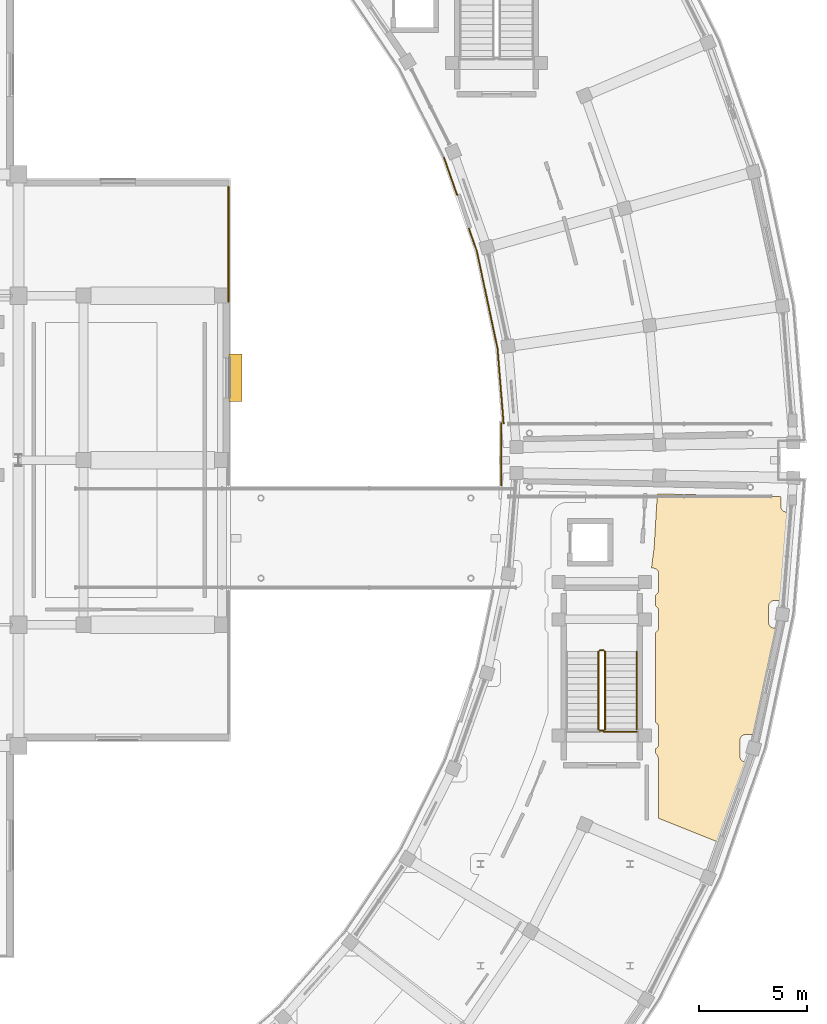
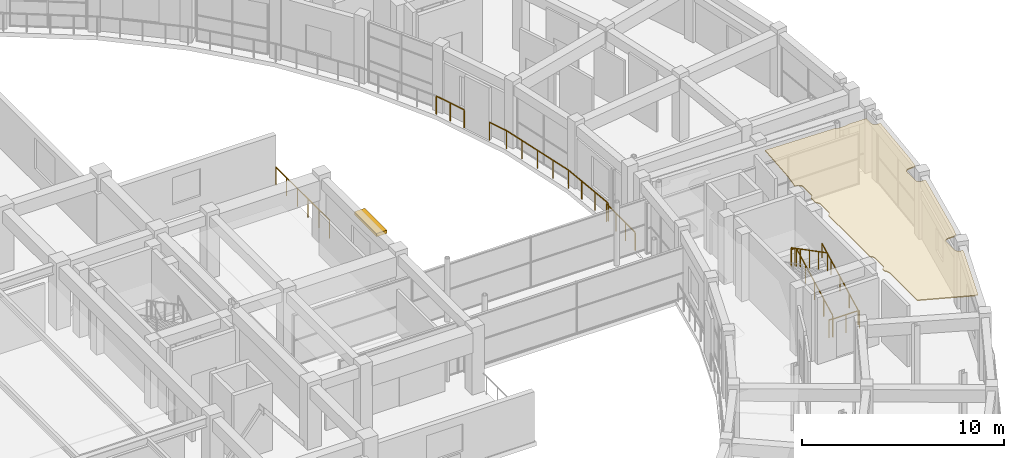
# One storey, part 64 of 70: 12 railings, 1 covering, 1 shading device.
"""IFC4 building model written with IfcOpenShell, lengths in metres."""

import ifcopenshell
import ifcopenshell.guid

model = None  # the IFC model being written
_history = None  # IfcOwnerHistory: only IFC2X3 demands one
_inside = {}  # id of a spatial element -> (the spatial element, [elements in it])
_under = {}  # id of a project, library or spatial element -> (it, [spatial elements below it])
_declared = {}  # id of a project -> (the project, [libraries it declares])
_typed = {}  # id of a type object -> (the type object, [elements of that type])
_made_of = {}  # id of a material, layer set ... -> (it, [elements and type objects made of it])


def new_model(schema):
    """Start an empty IFC model of exactly this schema.

    Asked for "IFC4X3", IfcOpenShell would pick the latest addendum, in which some entities
    have other attributes; the version numbers below select the first issue.
    IFC2X3 requires an IfcOwnerHistory on every rooted entity: one is made here for all.
    """
    global model, _history
    if schema == "IFC4X3":
        model = ifcopenshell.file(schema_version=(4, 3, 0, 0))
    else:
        model = ifcopenshell.file(schema=schema)
    _inside.clear()
    _under.clear()
    _declared.clear()
    _typed.clear()
    _made_of.clear()
    _history = None
    if model.schema == "IFC2X3":
        org = make("IfcOrganization", Name="unknown")
        user = make(
            "IfcPersonAndOrganization",
            ThePerson=make("IfcPerson", FamilyName="unknown"),
            TheOrganization=org,
        )
        app = make(
            "IfcApplication",
            ApplicationDeveloper=org,
            Version="unknown",
            ApplicationFullName="unknown",
            ApplicationIdentifier="unknown",
        )
        _history = make(
            "IfcOwnerHistory",
            OwningUser=user,
            OwningApplication=app,
            ChangeAction="ADDED",
            CreationDate=0,
        )
    return model


def make(cls, **values):
    """One entity of the class cls with the attributes given. An attribute that is None is left unset."""
    return model.create_entity(
        cls, **{name: value for name, value in values.items() if value is not None}
    )


def rooted(cls, **values):
    """An entity with a GlobalId (a new one), such as an element, a storey or a relation."""
    return make(cls, GlobalId=ifcopenshell.guid.new(), OwnerHistory=_history, **values)


def si_unit(unit_type, name, prefix=None):
    """IfcSIUnit, for example si_unit("LENGTHUNIT", "METRE", prefix="MILLI")."""
    return make("IfcSIUnit", UnitType=unit_type, Prefix=prefix, Name=name)


def assignment(units):
    """IfcUnitAssignment: the units of a project."""
    return None if units is None else make("IfcUnitAssignment", Units=units)


def point(xyz):
    """IfcCartesianPoint."""
    return None if xyz is None else make("IfcCartesianPoint", Coordinates=xyz)


def direction(xyz):
    """IfcDirection."""
    return None if xyz is None else make("IfcDirection", DirectionRatios=xyz)


def frame(location, z_axis=None, x_axis=None):
    """IfcAxis2Placement3D, a coordinate frame: its origin and axes. An axis left out is left unset."""
    return make(
        "IfcAxis2Placement3D",
        Location=point(location),
        Axis=direction(z_axis),
        RefDirection=direction(x_axis),
    )


def frame_2d(location, x_axis=None):
    """IfcAxis2Placement2D, a coordinate frame in the plane: its origin and x axis."""
    return make(
        "IfcAxis2Placement2D", Location=point(location), RefDirection=direction(x_axis)
    )


def origin():
    """The frame at (0, 0, 0) with its axes left unset."""
    return frame((0.0, 0.0, 0.0))


def origin_2d():
    """The frame at (0, 0) in the plane with its x axis left unset."""
    return frame_2d((0.0, 0.0))


def place(relative_to, where):
    """IfcLocalPlacement: puts the frame where relative to a parent placement (None: the world)."""
    return make(
        "IfcLocalPlacement", PlacementRelTo=relative_to, RelativePlacement=where
    )


def context(
    kind, dimensions, precision=None, world=None, true_north=None, identifier=None
):
    """IfcGeometricRepresentationContext, for example the 3D "Model" context."""
    return make(
        "IfcGeometricRepresentationContext",
        ContextIdentifier=identifier,
        ContextType=kind,
        CoordinateSpaceDimension=dimensions,
        Precision=precision,
        WorldCoordinateSystem=world,
        TrueNorth=true_north,
    )


def subcontext(parent, identifier, kind, view, scale=None):
    """IfcGeometricRepresentationSubContext, for example "Body" below "Model"."""
    return make(
        "IfcGeometricRepresentationSubContext",
        ContextIdentifier=identifier,
        ContextType=kind,
        ParentContext=parent,
        TargetScale=scale,
        TargetView=view,
    )


def project(units=None, contexts=None):
    """IfcProject with its units and contexts."""
    return rooted(
        "IfcProject",
        Name="project",
        RepresentationContexts=contexts,
        UnitsInContext=assignment(units),
    )


def spatial(cls, under=None, at=None, **own):
    """A site, building, storey or space (cls), placed at a placement, below another one or the project."""
    s = rooted(cls, ObjectPlacement=at, **own)
    if under is not None:
        _under.setdefault(under.id(), (under, []))[1].append(s)
    return s


def polyline(points):
    """IfcPolyline through the points."""
    return make("IfcPolyline", Points=[point(p) for p in points])


def profile(cls, at=None, kind="AREA", **sizes):
    """A parametric profile (cls). Its sizes go by their IFC names, for example OverallWidth=200.0."""
    return make(cls, ProfileType=kind, Position=at, **sizes)


def rectangle(**sizes):
    """IfcRectangleProfileDef."""
    return profile("IfcRectangleProfileDef", **sizes)


def outline(outer, holes=None, kind="AREA"):
    """IfcArbitraryClosedProfileDef: a profile drawn as a closed curve; with holes, ...WithVoids."""
    if holes is None:
        return make("IfcArbitraryClosedProfileDef", ProfileType=kind, OuterCurve=outer)
    return make(
        "IfcArbitraryProfileDefWithVoids",
        ProfileType=kind,
        OuterCurve=outer,
        InnerCurves=holes,
    )


def extrude(swept, where, along, depth):
    """IfcExtrudedAreaSolid: the profile swept, set in the frame where, extruded along a direction by depth."""
    return make(
        "IfcExtrudedAreaSolid",
        SweptArea=swept,
        Position=where,
        ExtrudedDirection=direction(along),
        Depth=depth,
    )


def shape(context_of_items, identifier, shape_type, items):
    """IfcShapeRepresentation: the items that make up one representation, for example the "Body"."""
    return make(
        "IfcShapeRepresentation",
        ContextOfItems=context_of_items,
        RepresentationIdentifier=identifier,
        RepresentationType=shape_type,
        Items=items,
    )


def material(Name=None, Category=None):
    """IfcMaterial."""
    return make("IfcMaterial", Name=Name, Category=Category)


def layer(
    of_material, thickness, ventilated=None, Name=None, Category=None, Priority=None
):
    """IfcMaterialLayer: one layer of a wall or slab, of a material (None: an air gap)."""
    return make(
        "IfcMaterialLayer",
        Material=of_material,
        LayerThickness=thickness,
        IsVentilated=ventilated,
        Name=Name,
        Category=Category,
        Priority=Priority,
    )


def layer_set(layers, Name=None):
    """IfcMaterialLayerSet."""
    return make("IfcMaterialLayerSet", MaterialLayers=layers, LayerSetName=Name)


def made_of(thing, what):
    """Note that an element or type object is made of a material, layer set ...; save() writes the relation."""
    if what is not None:
        _made_of.setdefault(what.id(), (what, []))[1].append(thing)
    return thing


def type_object(cls, material=None, **own):
    """A type object (cls), such as IfcWallType, which elements share."""
    return made_of(rooted(cls, **own), material)


def element(
    cls,
    number,
    at=None,
    inside=None,
    cuts=None,
    type_object=None,
    material=None,
    context=None,
    identifier="Body",
    shape_type=None,
    held_by="IfcProductDefinitionShape",
    body=None,
    shapes=None,
    **own,
):
    """One element of the class cls, such as IfcWall. Its Tag is "e" and its number.

    at: its placement. inside: the storey or other place that contains it. cuts: it is an
    opening in that element (IfcRelVoidsElement). A single representation is given by context,
    identifier, shape_type and body (its items); several are given by shapes. held_by: the class
    of the entity that holds the representations. save() writes the other relations.
    """
    e = rooted(cls, Tag="e%d" % number, ObjectPlacement=at, **own)
    if body is not None:
        shapes = [shape(context, identifier, shape_type, body)]
    if shapes is not None:
        e.Representation = make(held_by, Representations=shapes)
    if inside is not None:
        _inside.setdefault(inside.id(), (inside, []))[1].append(e)
    if cuts is not None:
        rooted(
            "IfcRelVoidsElement", RelatingBuildingElement=cuts, RelatedOpeningElement=e
        )
    if type_object is not None:
        _typed.setdefault(type_object.id(), (type_object, []))[1].append(e)
    return made_of(e, material)


def aggregate(whole, parts):
    """IfcRelAggregates: a whole, such as a stair, and the parts it consists of."""
    return rooted("IfcRelAggregates", RelatingObject=whole, RelatedObjects=parts)


def save(model, path):
    """Write the relations noted so far, then the file.

    IfcRelAggregates (storeys below a building ...), IfcRelContainedInSpatialStructure (elements
    in a storey), IfcRelDefinesByType, IfcRelAssociatesMaterial and IfcRelDeclares: one each for
    every whole, place, type object, material and project.
    """
    for whole, parts in _under.values():
        aggregate(whole, parts)
    for where, things in _inside.values():
        rooted(
            "IfcRelContainedInSpatialStructure",
            RelatedElements=things,
            RelatingStructure=where,
        )
    for kind, things in _typed.values():
        rooted("IfcRelDefinesByType", RelatedObjects=things, RelatingType=kind)
    for what, things in _made_of.values():
        rooted("IfcRelAssociatesMaterial", RelatedObjects=things, RelatingMaterial=what)
    for by, libraries in _declared.values():
        rooted("IfcRelDeclares", RelatingContext=by, RelatedDefinitions=libraries)
    model.write(path)


model = new_model("IFC4")

# Units and contexts
model_context = context("Model", 3, precision=1e-05, world=origin(), true_north=direction((0.0, 1.0)))
body_context = subcontext(model_context, "Body", "Model", "MODEL_VIEW")
ifc_project = project(units=[si_unit("LENGTHUNIT", "METRE"), si_unit("AREAUNIT", "SQUARE_METRE"), si_unit("VOLUMEUNIT", "CUBIC_METRE"), si_unit("PLANEANGLEUNIT", "RADIAN"), si_unit("MASSUNIT", "GRAM", prefix="KILO")], contexts=[model_context])

# Site, building, storey
site_placement = place(None, origin())
site = spatial("IfcSite", under=ifc_project, at=site_placement, CompositionType="ELEMENT")
building_placement = place(site_placement, origin())
building = spatial("IfcBuilding", under=site, at=building_placement, Name="Saryqyr Civic Hall", CompositionType="ELEMENT")
storey_placement = place(building_placement, frame((0.0, 0.0, 13.199951171875)))
storey = spatial("IfcBuildingStorey", under=building, at=storey_placement, Name="L03", CompositionType="ELEMENT", Elevation=13.199951171875)

# Shading device
ifc_material_1 = material(Name="Warm brushed brass-anodised aluminium", Category="aluminium")
shading_device_type = type_object("IfcShadingDeviceType", Name="ENV-SHD-LOUVRE", PredefinedType="JALOUSIE", material=ifc_material_1)
shading_device_placement = place(storey_placement, frame((80.22509765625, 87.800048828125, 2.88525390625), z_axis=(0.0, 0.0, 1.0), x_axis=(0.0, -1.0, 0.0)))
element("IfcShadingDevice", 1, at=shading_device_placement, inside=storey, type_object=shading_device_type, Name="Warm brass exterior louvre hood L03-08", PredefinedType="JALOUSIE", context=body_context, shape_type="SweptSolid", body=[
    extrude(rectangle(XDim=2.199951171875, YDim=0.60009765625, at=origin_2d()), origin(), (0.0, 0.0, 1.0), 0.199951171875),
])

# Covering
ifc_material_2 = material(Name="Mineral-fibre acoustic ceiling tile", Category="acoustic_tile")
ifc_layer_1 = layer(ifc_material_2, 0.06005859375, Name="Mineral-fibre acoustic ceiling tile")
ifc_layer_set_1 = layer_set([ifc_layer_1], Name="Mineral-fibre acoustic ceiling tile")
covering_type = type_object("IfcCoveringType", Name="INT-COV-CEIL-60", PredefinedType="CEILING", material=ifc_layer_set_1)
covering_placement = place(storey_placement, frame((0.0, 0.0, 3.72998046875)))
element("IfcCovering", 2, at=covering_placement, inside=storey, type_object=covering_type, Name="Acoustic ceiling Staff & Accessible MGN WC L03-E", PredefinedType="CEILING", context=body_context, shape_type="SweptSolid", body=[
    extrude(outline(polyline([(99.705810546875, 82.443603515625), (103.612548828125, 82.351318359375), (103.625, 82.340087890625), (103.64453125, 82.32568359375), (103.665771484375, 82.31298828125), (103.687744140625, 82.302490234375), (103.7109375, 82.294189453125), (103.734619140625, 82.288330078125), (103.759033203125, 82.28466796875), (103.783447265625, 82.283447265625), (104.216552734375, 82.283447265625), (104.240966796875, 82.28466796875), (104.265380859375, 82.288330078125), (104.2890625, 82.294189453125), (104.312255859375, 82.302490234375), (104.334228515625, 82.31298828125), (104.35546875, 82.32568359375), (104.3662109375, 82.33349609375), (105.410400390625, 82.30908203125), (105.410400390625, 81.856689453125), (105.41162109375, 81.832275390625), (105.415283203125, 81.807861328125), (105.42138671875, 81.7841796875), (105.429443359375, 81.760986328125), (105.43994140625, 81.739013671875), (105.45263671875, 81.7177734375), (105.46728515625, 81.697998046875), (105.483642578125, 81.679931640625), (105.501953125, 81.663330078125), (105.521484375, 81.648681640625), (105.542724609375, 81.63623046875), (105.564697265625, 81.625732421875), (105.587890625, 81.617431640625), (105.61181640625, 81.611572265625), (105.635986328125, 81.60791015625), (105.660400390625, 81.606689453125), (105.82080078125, 81.606689453125), (105.565673828125, 78.267822265625), (105.4658203125, 77.510009765625), (105.10009765625, 77.510009765625), (105.075439453125, 77.5087890625), (105.05126953125, 77.505126953125), (105.02734375, 77.499267578125), (105.00439453125, 77.490966796875), (104.982177734375, 77.48046875), (104.961181640625, 77.468017578125), (104.94140625, 77.453369140625), (104.923095703125, 77.436767578125), (104.90673828125, 77.418701171875), (104.89208984375, 77.39892578125), (104.87939453125, 77.377685546875), (104.868896484375, 77.355712890625), (104.86083984375, 77.33251953125), (104.854736328125, 77.308837890625), (104.851318359375, 77.284423828125), (104.85009765625, 77.260009765625), (104.85009765625, 76.5), (104.851318359375, 76.4755859375), (104.854736328125, 76.451171875), (104.86083984375, 76.427490234375), (104.868896484375, 76.404296875), (104.87939453125, 76.382080078125), (104.89208984375, 76.361083984375), (104.90673828125, 76.34130859375), (104.923095703125, 76.3232421875), (104.94140625, 76.306640625), (104.961181640625, 76.2919921875), (104.982177734375, 76.279541015625), (105.00439453125, 76.26904296875), (105.02734375, 76.2607421875), (105.05126953125, 76.2548828125), (105.075439453125, 76.251220703125), (105.10009765625, 76.25), (105.2998046875, 76.25), (105.283203125, 76.123291015625), (104.39111328125, 71.89599609375), (104.2294921875, 71.3212890625), (103.778076171875, 71.3212890625), (103.75341796875, 71.320068359375), (103.729248046875, 71.31640625), (103.705322265625, 71.310302734375), (103.682373046875, 71.30224609375), (103.66015625, 71.291748046875), (103.63916015625, 71.279052734375), (103.619384765625, 71.264404296875), (103.601318359375, 71.248046875), (103.584716796875, 71.229736328125), (103.570068359375, 71.210205078125), (103.5576171875, 71.18896484375), (103.547119140625, 71.1669921875), (103.538818359375, 71.143798828125), (103.53271484375, 71.1201171875), (103.529296875, 71.095703125), (103.528076171875, 71.0712890625), (103.528076171875, 70.311279296875), (103.529296875, 70.28662109375), (103.53271484375, 70.262451171875), (103.538818359375, 70.238525390625), (103.547119140625, 70.215576171875), (103.5576171875, 70.193359375), (103.570068359375, 70.17236328125), (103.584716796875, 70.152587890625), (103.601318359375, 70.134521484375), (103.619384765625, 70.117919921875), (103.63916015625, 70.103271484375), (103.66015625, 70.0908203125), (103.682373046875, 70.080078125), (103.705322265625, 70.072021484375), (103.729248046875, 70.06591796875), (103.75341796875, 70.0625), (103.778076171875, 70.061279296875), (103.875244140625, 70.061279296875), (103.794677734375, 69.77490234375), (102.591064453125, 66.323486328125), (99.77001953125, 67.45556640625), (99.77001953125, 70.10009765625), (99.76708984375, 70.15576171875), (99.7587890625, 70.210693359375), (99.744873046875, 70.2646484375), (99.725341796875, 70.31689453125), (99.70068359375, 70.366943359375), (99.67138671875, 70.414306640625), (99.63720703125, 70.45849609375), (99.6201171875, 70.4765625), (99.6201171875, 70.666015625), (99.6376953125, 70.674560546875), (99.658935546875, 70.68701171875), (99.6787109375, 70.70166015625), (99.69677734375, 70.71826171875), (99.71337890625, 70.736328125), (99.727783203125, 70.756103515625), (99.740478515625, 70.777099609375), (99.7509765625, 70.79931640625), (99.75927734375, 70.822509765625), (99.76513671875, 70.84619140625), (99.768798828125, 70.87060546875), (99.77001953125, 70.89501953125), (99.77001953125, 71.655029296875), (99.768798828125, 71.679443359375), (99.76513671875, 71.703857421875), (99.75927734375, 71.7275390625), (99.7509765625, 71.750732421875), (99.740478515625, 71.772705078125), (99.727783203125, 71.7939453125), (99.71337890625, 71.813720703125), (99.69677734375, 71.831787109375), (99.6787109375, 71.848388671875), (99.658935546875, 71.86279296875), (99.6376953125, 71.87548828125), (99.6201171875, 71.8837890625), (99.6201171875, 76.041015625), (99.6376953125, 76.049560546875), (99.658935546875, 76.06201171875), (99.6787109375, 76.07666015625), (99.69677734375, 76.09326171875), (99.71337890625, 76.111328125), (99.727783203125, 76.131103515625), (99.740478515625, 76.152099609375), (99.7509765625, 76.17431640625), (99.75927734375, 76.197509765625), (99.76513671875, 76.22119140625), (99.768798828125, 76.24560546875), (99.77001953125, 76.27001953125), (99.77001953125, 77.030029296875), (99.768798828125, 77.054443359375), (99.76513671875, 77.078857421875), (99.75927734375, 77.1025390625), (99.7509765625, 77.125732421875), (99.740478515625, 77.147705078125), (99.727783203125, 77.1689453125), (99.71337890625, 77.188720703125), (99.69677734375, 77.206787109375), (99.6787109375, 77.223388671875), (99.658935546875, 77.23779296875), (99.6376953125, 77.25048828125), (99.6201171875, 77.2587890625), (99.6201171875, 77.77099609375), (99.6376953125, 77.779541015625), (99.658935546875, 77.7919921875), (99.6787109375, 77.806640625), (99.69677734375, 77.8232421875), (99.71337890625, 77.84130859375), (99.727783203125, 77.861083984375), (99.740478515625, 77.882080078125), (99.7509765625, 77.904296875), (99.75927734375, 77.927490234375), (99.76513671875, 77.951171875), (99.768798828125, 77.9755859375), (99.77001953125, 78.0), (99.77001953125, 78.760009765625), (99.768798828125, 78.784423828125), (99.76513671875, 78.808837890625), (99.75927734375, 78.83251953125), (99.7509765625, 78.855712890625), (99.740478515625, 78.877685546875), (99.727783203125, 78.89892578125), (99.71337890625, 78.918701171875), (99.69677734375, 78.936767578125), (99.6787109375, 78.953369140625), (99.658935546875, 78.968017578125), (99.6376953125, 78.98046875), (99.61572265625, 78.990966796875), (99.592529296875, 78.999267578125), (99.56884765625, 79.005126953125), (99.54443359375, 79.0087890625), (99.52001953125, 79.010009765625), (99.434814453125, 79.010009765625), (99.554443359375, 79.918701171875), (99.55810546875, 79.9580078125), (99.705810546875, 82.443603515625)])), origin(), (0.0, 0.0, 1.0), 0.06005859375),
])

# Railings
ifc_material_3 = material(Name="Warm brushed brass and laminated glass", Category="glass")
ifc_layer_2 = layer(ifc_material_3, 0.06005859375, Name="Warm brushed brass and laminated glass")
ifc_layer_set_2 = layer_set([ifc_layer_2], Name="Warm brushed brass and laminated glass")
railing_type_1 = type_object("IfcRailingType", Name="INT-RLG-BAL-1100", PredefinedType="BALUSTRADE", material=ifc_layer_set_2)
railing_1_placement = place(storey_placement, frame((97.2900390625, 71.56005859375, 0.15576171875)))
element("IfcRailing", 3, at=railing_1_placement, inside=storey, type_object=railing_type_1, Name="L03 ST-5 stair guard 1", PredefinedType="BALUSTRADE", context=body_context, shape_type="SweptSolid", body=[
    extrude(rectangle(XDim=0.048095703125, YDim=0.048095703125, at=origin_2d()), frame((0.0, 0.0, 1.076171875), z_axis=(0.0, 0.887472880572, 0.460859942119), x_axis=(-1.0, 0.0, 0.0)), (0.0, 0.0, 1.0), 4.056396484375),
    extrude(rectangle(XDim=0.0419921875, YDim=0.0419921875, at=origin_2d()), origin(), (0.0, 0.0, 1.0), 1.052001953125),
    extrude(rectangle(XDim=0.0419921875, YDim=0.0419921875, at=origin_2d()), frame((0.0, 0.89990234375, 0.46728515625)), (0.0, 0.0, 1.0), 1.052001953125),
    extrude(rectangle(XDim=0.0419921875, YDim=0.0419921875, at=origin_2d()), frame((0.0, 1.7998046875, 0.9345703125)), (0.0, 0.0, 1.0), 1.052001953125),
    extrude(rectangle(XDim=0.0419921875, YDim=0.0419921875, at=origin_2d()), frame((0.0, 2.699951171875, 1.402099609375)), (0.0, 0.0, 1.0), 1.052001953125),
    extrude(rectangle(XDim=0.0419921875, YDim=0.0419921875, at=origin_2d()), frame((0.0, 3.599853515625, 1.869384765625)), (0.0, 0.0, 1.0), 1.052001953125),
])
railing_2_placement = place(storey_placement, frame((97.239990234375, 75.2099609375, 2.025146484375)))
element("IfcRailing", 4, at=railing_2_placement, inside=storey, type_object=railing_type_1, Name="L03 ST-5 stair guard 2", PredefinedType="BALUSTRADE", context=body_context, shape_type="SweptSolid", body=[
    extrude(rectangle(XDim=0.048095703125, YDim=0.048095703125, at=origin_2d()), frame((0.0, 0.0, 1.076171875), z_axis=(-1.0, 0.0, 0.0), x_axis=(0.0, -1.0, 0.0)), (0.0, 0.0, 1.0), 0.199951171875),
    extrude(rectangle(XDim=0.0419921875, YDim=0.0419921875, at=origin_2d()), origin(), (0.0, 0.0, 1.0), 1.052001953125),
    extrude(rectangle(XDim=0.0419921875, YDim=0.0419921875, at=origin_2d()), frame((-0.199951171875, 0.0, 0.0)), (0.0, 0.0, 1.0), 1.052001953125),
])
railing_3_placement = place(storey_placement, frame((96.989990234375, 75.159912109375, 2.180908203125)))
element("IfcRailing", 5, at=railing_3_placement, inside=storey, type_object=railing_type_1, Name="L03 ST-5 stair guard 3", PredefinedType="BALUSTRADE", context=body_context, shape_type="SweptSolid", body=[
    extrude(rectangle(XDim=0.048095703125, YDim=0.048095703125, at=origin_2d()), frame((0.0, 0.0, 1.076171875), z_axis=(0.0, -0.887497496945, 0.460812535545), x_axis=(1.0, 0.0, 0.0)), (0.0, 0.0, 1.0), 4.05615234375),
    extrude(rectangle(XDim=0.0419921875, YDim=0.0419921875, at=origin_2d()), origin(), (0.0, 0.0, 1.0), 1.052001953125),
    extrude(rectangle(XDim=0.0419921875, YDim=0.0419921875, at=origin_2d()), frame((0.0, -0.89990234375, 0.46728515625)), (0.0, 0.0, 1.0), 1.052001953125),
    extrude(rectangle(XDim=0.0419921875, YDim=0.0419921875, at=origin_2d()), frame((0.0, -1.7998046875, 0.9345703125)), (0.0, 0.0, 1.0), 1.052001953125),
    extrude(rectangle(XDim=0.0419921875, YDim=0.0419921875, at=origin_2d()), frame((0.0, -2.699951171875, 1.40185546875)), (0.0, 0.0, 1.0), 1.052001953125),
    extrude(rectangle(XDim=0.0419921875, YDim=0.0419921875, at=origin_2d()), frame((0.0, -3.599853515625, 1.869140625)), (0.0, 0.0, 1.0), 1.052001953125),
])
railing_4_placement = place(storey_placement, frame((97.239990234375, 71.510009765625, 0.0)))
element("IfcRailing", 6, at=railing_4_placement, inside=storey, type_object=railing_type_1, Name="L03 ST-5 stair guard 4", PredefinedType="BALUSTRADE", context=body_context, shape_type="SweptSolid", body=[
    extrude(rectangle(XDim=0.048095703125, YDim=0.048095703125, at=origin_2d()), frame((0.0, 0.0, 1.076171875), z_axis=(-1.0, 0.0, 0.0), x_axis=(0.0, -1.0, 0.0)), (0.0, 0.0, 1.0), 0.199951171875),
    extrude(rectangle(XDim=0.0419921875, YDim=0.0419921875, at=origin_2d()), origin(), (0.0, 0.0, 1.0), 1.052001953125),
    extrude(rectangle(XDim=0.0419921875, YDim=0.0419921875, at=origin_2d()), frame((-0.199951171875, 0.0, 0.0)), (0.0, 0.0, 1.0), 1.052001953125),
])
railing_5_placement = place(storey_placement, frame((79.89990234375, 96.635009765625, 0.0)))
element("IfcRailing", 7, at=railing_5_placement, inside=storey, type_object=railing_type_1, Name="Interior deck safety balustrade L03-031", PredefinedType="BALUSTRADE", context=body_context, shape_type="SweptSolid", body=[
    extrude(rectangle(XDim=0.048095703125, YDim=0.048095703125, at=origin_2d()), frame((0.0, 0.0, 1.09619140625), z_axis=(0.0, -1.0, 0.0), x_axis=(1.0, 0.0, 0.0)), (0.0, 0.0, 1.0), 5.320068359375),
    extrude(rectangle(XDim=0.0419921875, YDim=0.0419921875, at=origin_2d()), origin(), (0.0, 0.0, 1.0), 1.072021484375),
    extrude(rectangle(XDim=0.0419921875, YDim=0.0419921875, at=origin_2d()), frame((0.0, -1.06396484375, 0.0)), (0.0, 0.0, 1.0), 1.072021484375),
    extrude(rectangle(XDim=0.0419921875, YDim=0.0419921875, at=origin_2d()), frame((0.0, -2.1279296875, 0.0)), (0.0, 0.0, 1.0), 1.072021484375),
    extrude(rectangle(XDim=0.0419921875, YDim=0.0419921875, at=origin_2d()), frame((0.0, -3.192138671875, 0.0)), (0.0, 0.0, 1.0), 1.072021484375),
    extrude(rectangle(XDim=0.0419921875, YDim=0.0419921875, at=origin_2d()), frame((0.0, -4.256103515625, 0.0)), (0.0, 0.0, 1.0), 1.072021484375),
    extrude(rectangle(XDim=0.0419921875, YDim=0.0419921875, at=origin_2d()), frame((0.0, -5.320068359375, 0.0)), (0.0, 0.0, 1.0), 1.072021484375),
])
railing_6_placement = place(storey_placement, frame((92.5, 82.840087890625, 0.0)))
element("IfcRailing", 8, at=railing_6_placement, inside=storey, type_object=railing_type_1, Name="Interior deck safety balustrade L03-033", PredefinedType="BALUSTRADE", context=body_context, shape_type="SweptSolid", body=[
    extrude(rectangle(XDim=0.048095703125, YDim=0.048095703125, at=origin_2d()), frame((0.0, 0.0, 1.09619140625), z_axis=(0.0, 1.0, 0.0), x_axis=(-1.0, 0.0, 0.0)), (0.0, 0.0, 1.0), 2.85986328125),
    extrude(rectangle(XDim=0.0419921875, YDim=0.0419921875, at=origin_2d()), origin(), (0.0, 0.0, 1.0), 1.072021484375),
    extrude(rectangle(XDim=0.0419921875, YDim=0.0419921875, at=origin_2d()), frame((0.0, 0.953369140625, 0.0)), (0.0, 0.0, 1.0), 1.072021484375),
    extrude(rectangle(XDim=0.0419921875, YDim=0.0419921875, at=origin_2d()), frame((0.0, 1.906494140625, 0.0)), (0.0, 0.0, 1.0), 1.072021484375),
    extrude(rectangle(XDim=0.0419921875, YDim=0.0419921875, at=origin_2d()), frame((0.0, 2.85986328125, 0.0)), (0.0, 0.0, 1.0), 1.072021484375),
])
railing_7_placement = place(storey_placement, frame((92.60546875, 85.699951171875, 0.0)))
element("IfcRailing", 9, at=railing_7_placement, inside=storey, type_object=railing_type_1, Name="Interior deck safety balustrade L03-034", PredefinedType="BALUSTRADE", context=body_context, shape_type="SweptSolid", body=[
    extrude(rectangle(XDim=0.048095703125, YDim=0.048095703125, at=origin_2d()), frame((0.0, 0.0, 1.09619140625), z_axis=(-0.080753594391, 0.99673409543, 0.0), x_axis=(-0.99673409543, -0.080753594391, 0.0)), (0.0, 0.0, 1.0), 3.4736328125),
    extrude(rectangle(XDim=0.0419921875, YDim=0.0419921875, at=origin_2d()), origin(), (0.0, 0.0, 1.0), 1.072021484375),
    extrude(rectangle(XDim=0.0419921875, YDim=0.0419921875, at=origin_2d()), frame((-0.093505859375, 1.154052734375, 0.0)), (0.0, 0.0, 1.0), 1.072021484375),
    extrude(rectangle(XDim=0.0419921875, YDim=0.0419921875, at=origin_2d()), frame((-0.18701171875, 2.308349609375, 0.0)), (0.0, 0.0, 1.0), 1.072021484375),
    extrude(rectangle(XDim=0.0419921875, YDim=0.0419921875, at=origin_2d()), frame((-0.280517578125, 3.46240234375, 0.0)), (0.0, 0.0, 1.0), 1.072021484375),
])
railing_8_placement = place(storey_placement, frame((92.324951171875, 89.162353515625, 0.0)))
element("IfcRailing", 10, at=railing_8_placement, inside=storey, type_object=railing_type_1, Name="Interior deck safety balustrade L03-035", PredefinedType="BALUSTRADE", context=body_context, shape_type="SweptSolid", body=[
    extrude(rectangle(XDim=0.048095703125, YDim=0.048095703125, at=origin_2d()), frame((0.0, 0.0, 1.09619140625), z_axis=(-0.207856208743, 0.978159392168, 0.0), x_axis=(-0.978159392168, -0.207856208743, 0.0)), (0.0, 0.0, 1.0), 4.58544921875),
    extrude(rectangle(XDim=0.0419921875, YDim=0.0419921875, at=origin_2d()), origin(), (0.0, 0.0, 1.0), 1.072021484375),
    extrude(rectangle(XDim=0.0419921875, YDim=0.0419921875, at=origin_2d()), frame((-0.23828125, 1.121337890625, 0.0)), (0.0, 0.0, 1.0), 1.072021484375),
    extrude(rectangle(XDim=0.0419921875, YDim=0.0419921875, at=origin_2d()), frame((-0.4765625, 2.24267578125, 0.0)), (0.0, 0.0, 1.0), 1.072021484375),
    extrude(rectangle(XDim=0.0419921875, YDim=0.0419921875, at=origin_2d()), frame((-0.71484375, 3.364013671875, 0.0)), (0.0, 0.0, 1.0), 1.072021484375),
    extrude(rectangle(XDim=0.0419921875, YDim=0.0419921875, at=origin_2d()), frame((-0.953125, 4.4853515625, 0.0)), (0.0, 0.0, 1.0), 1.072021484375),
])
railing_9_placement = place(storey_placement, frame((91.371826171875, 93.647705078125, 0.0)))
element("IfcRailing", 11, at=railing_9_placement, inside=storey, type_object=railing_type_1, Name="Interior deck safety balustrade L03-036", PredefinedType="BALUSTRADE", context=body_context, shape_type="SweptSolid", body=[
    extrude(rectangle(XDim=0.048095703125, YDim=0.048095703125, at=origin_2d()), frame((0.0, 0.0, 1.09619140625), z_axis=(-0.331501807942, 0.943454583608, 0.0), x_axis=(-0.943454583608, -0.331501807942, 0.0)), (0.0, 0.0, 1.0), 1.1142578125),
    extrude(rectangle(XDim=0.0419921875, YDim=0.0419921875, at=origin_2d()), origin(), (0.0, 0.0, 1.0), 1.072021484375),
    extrude(rectangle(XDim=0.0419921875, YDim=0.0419921875, at=origin_2d()), frame((-0.369384765625, 1.05126953125, 0.0)), (0.0, 0.0, 1.0), 1.072021484375),
])
railing_10_placement = place(storey_placement, frame((90.457275390625, 96.25048828125, 0.0)))
element("IfcRailing", 12, at=railing_10_placement, inside=storey, type_object=railing_type_1, Name="Interior deck safety balustrade L03-037", PredefinedType="BALUSTRADE", context=body_context, shape_type="SweptSolid", body=[
    extrude(rectangle(XDim=0.048095703125, YDim=0.048095703125, at=origin_2d()), frame((0.0, 0.0, 1.09619140625), z_axis=(-0.331505289527, 0.943453360276, 0.0), x_axis=(-0.943453360276, -0.331505289527, 0.0)), (0.0, 0.0, 1.0), 1.826416015625),
    extrude(rectangle(XDim=0.0419921875, YDim=0.0419921875, at=origin_2d()), origin(), (0.0, 0.0, 1.0), 1.072021484375),
    extrude(rectangle(XDim=0.0419921875, YDim=0.0419921875, at=origin_2d()), frame((-0.302734375, 0.861572265625, 0.0)), (0.0, 0.0, 1.0), 1.072021484375),
    extrude(rectangle(XDim=0.0419921875, YDim=0.0419921875, at=origin_2d()), frame((-0.60546875, 1.72314453125, 0.0)), (0.0, 0.0, 1.0), 1.072021484375),
])
railing_11_placement = place(storey_placement, frame((97.239990234375, 71.4599609375, 0.0)))
element("IfcRailing", 13, at=railing_11_placement, inside=storey, type_object=railing_type_1, Name="Interior deck safety balustrade L03-095", PredefinedType="BALUSTRADE", context=body_context, shape_type="SweptSolid", body=[
    extrude(rectangle(XDim=0.048095703125, YDim=0.048095703125, at=origin_2d()), frame((0.0, 0.0, 1.09619140625), z_axis=(1.0, 0.0, 0.0), x_axis=(0.0, 1.0, 0.0)), (0.0, 0.0, 1.0), 1.514892578125),
    extrude(rectangle(XDim=0.0419921875, YDim=0.0419921875, at=origin_2d()), origin(), (0.0, 0.0, 1.0), 1.072021484375),
    extrude(rectangle(XDim=0.0419921875, YDim=0.0419921875, at=origin_2d()), frame((0.75732421875, 0.0, 0.0)), (0.0, 0.0, 1.0), 1.072021484375),
    extrude(rectangle(XDim=0.0419921875, YDim=0.0419921875, at=origin_2d()), frame((1.514892578125, 0.0, 0.0)), (0.0, 0.0, 1.0), 1.072021484375),
])
ifc_material_4 = material(Name="Stainless steel", Category="steel")
ifc_layer_3 = layer(ifc_material_4, 0.050048828125, Name="Stainless steel")
ifc_layer_set_3 = layer_set([ifc_layer_3], Name="Stainless steel")
railing_type_2 = type_object("IfcRailingType", Name="INT-RLG-HND-900", PredefinedType="HANDRAIL", material=ifc_layer_set_3)
railing_12_placement = place(storey_placement, frame((98.75, 71.56005859375, 0.15576171875)))
element("IfcRailing", 14, at=railing_12_placement, inside=storey, type_object=railing_type_2, Name="L03 ST-5 stair handrail 1", PredefinedType="HANDRAIL", context=body_context, shape_type="SweptSolid", body=[
    extrude(rectangle(XDim=0.048095703125, YDim=0.048095703125, at=origin_2d()), frame((0.0, 0.0, 0.8759765625), z_axis=(0.0, 0.887472880572, 0.460859942119), x_axis=(-1.0, 0.0, 0.0)), (0.0, 0.0, 1.0), 4.056396484375),
    extrude(rectangle(XDim=0.0419921875, YDim=0.0419921875, at=origin_2d()), origin(), (0.0, 0.0, 1.0), 0.851806640625),
    extrude(rectangle(XDim=0.0419921875, YDim=0.0419921875, at=origin_2d()), frame((0.0, 0.89990234375, 0.46728515625)), (0.0, 0.0, 1.0), 0.851806640625),
    extrude(rectangle(XDim=0.0419921875, YDim=0.0419921875, at=origin_2d()), frame((0.0, 1.7998046875, 0.9345703125)), (0.0, 0.0, 1.0), 0.851806640625),
    extrude(rectangle(XDim=0.0419921875, YDim=0.0419921875, at=origin_2d()), frame((0.0, 2.699951171875, 1.402099609375)), (0.0, 0.0, 1.0), 0.851806640625),
    extrude(rectangle(XDim=0.0419921875, YDim=0.0419921875, at=origin_2d()), frame((0.0, 3.599853515625, 1.869384765625)), (0.0, 0.0, 1.0), 0.851806640625),
])

save(model, "model.ifc")
